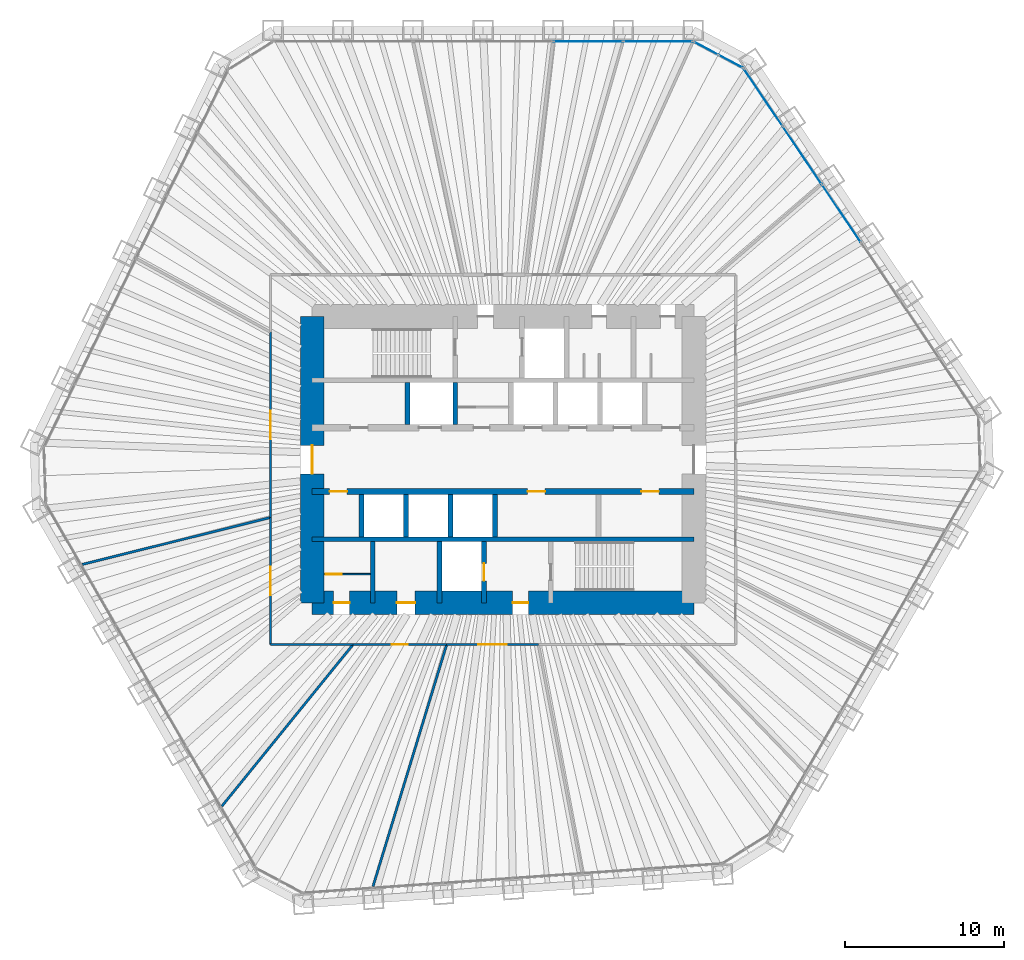
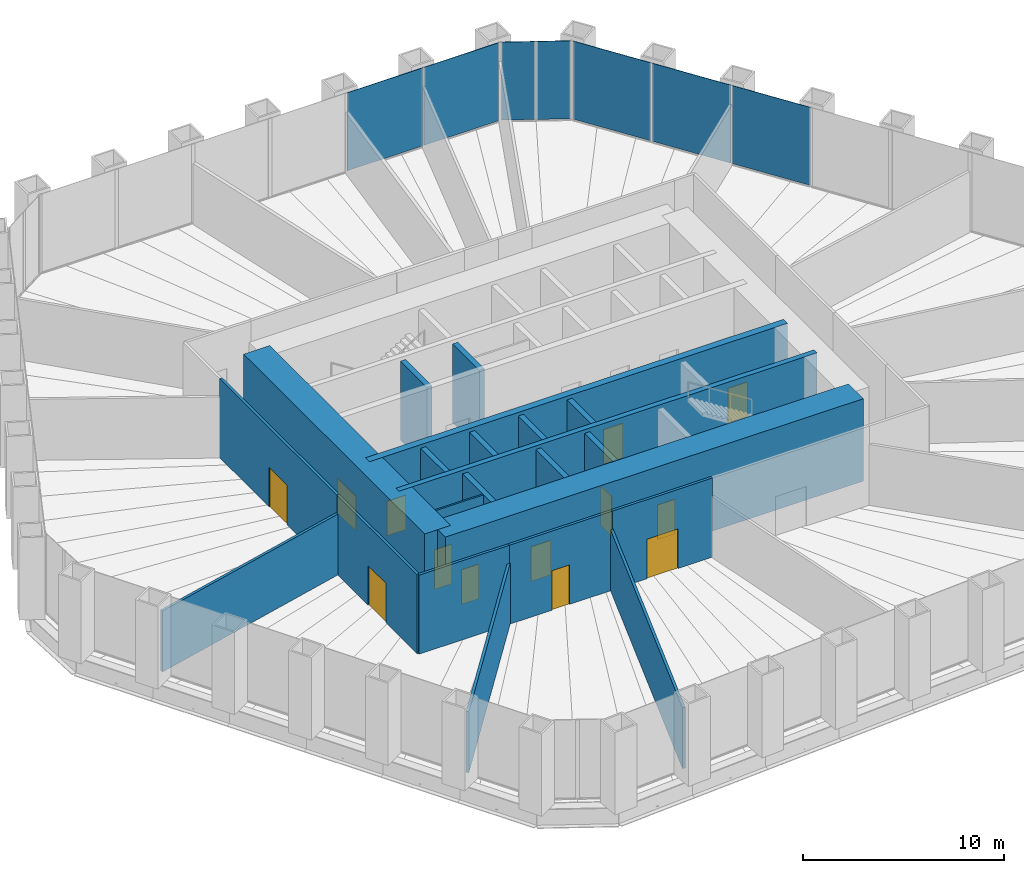
# One storey, part 10 of 13: 22 walls, 13 doors, 7 plates, 13 openings, 3 elements without a shape of their own.
"""IFC4 building model written with IfcOpenShell, lengths in metres."""

from ifc_helpers import new_model, si_unit, direction, frame, frame_2d, origin, origin_2d, place, context, subcontext, project, spatial, rectangle, extrude, material, layer, layer_set, type_object, element, fill, aggregate, save


model = new_model("IFC4")

# Units and contexts
model_context = context("Model", 3, precision=1e-05, world=origin(), true_north=direction((0.0, 1.0)))
body_context = subcontext(model_context, "Body", "Model", "MODEL_VIEW")
ifc_project = project(units=[si_unit("LENGTHUNIT", "METRE"), si_unit("AREAUNIT", "SQUARE_METRE"), si_unit("VOLUMEUNIT", "CUBIC_METRE"), si_unit("PLANEANGLEUNIT", "RADIAN"), si_unit("MASSUNIT", "GRAM", prefix="KILO")], contexts=[model_context])

# Site, building, storey
site_placement = place(None, origin())
site = spatial("IfcSite", under=ifc_project, at=site_placement, CompositionType="ELEMENT")
building_placement = place(site_placement, origin())
building = spatial("IfcBuilding", under=site, at=building_placement, Name="Qingtian Harvest Tower", CompositionType="ELEMENT")
storey_placement = place(building_placement, frame((0.0, 0.0, 77.0)))
storey = spatial("IfcBuildingStorey", under=building, at=storey_placement, Name="L15", CompositionType="ELEMENT", Elevation=77.0)

# Curtain wall, plates
ifc_material_1 = material(Name="Bronze-anodised aluminium curtain wall", Category="aluminium")
curtain_wall_type = type_object("IfcCurtainWallType", Name="Curtain wall CW2 farm reception", PredefinedType="USERDEFINED", material=ifc_material_1)
curtain_wall_1_placement = place(storey_placement, origin())
curtain_wall_1 = element("IfcCurtainWall", 1, at=curtain_wall_1_placement, inside=storey, type_object=curtain_wall_type, Name="Curtain wall CW2 L15 N0-5", ObjectType="RECESSED CURTAIN WALL", PredefinedType="USERDEFINED")
ifc_material_2 = material(Name="Bronze-tinted laminated insulating glass", Category="glass")
ifc_layer_1 = layer(ifc_material_2, 0.030029296875)
ifc_layer_set_1 = layer_set([ifc_layer_1], Name="Glazed panel CWP tinted IGU")
plate_type = type_object("IfcPlateType", Name="Glazed panel CWP tinted IGU", PredefinedType="CURTAIN_PANEL", material=ifc_layer_set_1)
plate_1_placement = place(storey_placement, frame((5.349365234375, 26.300048828125, 0.06494140625), z_axis=(0.0, 0.0, 1.0), x_axis=(1.0, 0.0, 0.0)))
plate_1 = element("IfcPlate", 2, at=plate_1_placement, type_object=plate_type, Name="CW2 panel 5.1", PredefinedType="CURTAIN_PANEL", context=body_context, shape_type="SweptSolid", body=[
    extrude(rectangle(XDim=4.339599609375, YDim=0.030029296875, at=origin_2d()), origin(), (0.0, 0.0, 1.0), 4.735107421875),
])
plate_2_placement = place(storey_placement, frame((9.737548828125, 26.300048828125, 0.06494140625), z_axis=(0.0, 0.0, 1.0), x_axis=(1.0, 0.0, 0.0)))
plate_2 = element("IfcPlate", 3, at=plate_2_placement, type_object=plate_type, Name="CW2 panel 6.1", PredefinedType="CURTAIN_PANEL", context=body_context, shape_type="SweptSolid", body=[
    extrude(rectangle(XDim=4.30712890625, YDim=0.030029296875, at=origin_2d()), origin(), (0.0, 0.0, 1.0), 4.735107421875),
])
aggregate(curtain_wall_1, [plate_1, plate_2])

curtain_wall_2_placement = place(storey_placement, origin())
curtain_wall_2 = element("IfcCurtainWall", 4, at=curtain_wall_2_placement, inside=storey, type_object=curtain_wall_type, Name="Curtain wall CW2 L15 NC", ObjectType="RECESSED CURTAIN WALL", PredefinedType="USERDEFINED")
plate_3_placement = place(storey_placement, frame((12.760986328125, 25.8720703125, 0.06494140625), z_axis=(0.0, 0.0, 1.0), x_axis=(0.882947592859, -0.469471562786, 0.0)))
plate_3 = element("IfcPlate", 5, at=plate_3_placement, type_object=plate_type, Name="CW2 panel 1.1", PredefinedType="CURTAIN_PANEL", context=body_context, shape_type="SweptSolid", body=[
    extrude(rectangle(XDim=1.69287109375, YDim=0.030029296875, at=origin_2d()), origin(), (0.0, 0.0, 1.0), 4.735107421875),
])
plate_4_placement = place(storey_placement, frame((14.31298828125, 25.046875, 0.06494140625), z_axis=(0.0, 0.0, 1.0), x_axis=(0.882947592859, -0.469471562786, 0.0)))
plate_4 = element("IfcPlate", 6, at=plate_4_placement, type_object=plate_type, Name="CW2 panel 2.1", PredefinedType="CURTAIN_PANEL", context=body_context, shape_type="SweptSolid", body=[
    extrude(rectangle(XDim=1.69287109375, YDim=0.030029296875, at=origin_2d()), origin(), (0.0, 0.0, 1.0), 4.735107421875),
])
aggregate(curtain_wall_2, [plate_3, plate_4])

curtain_wall_3_placement = place(storey_placement, origin())
curtain_wall_3 = element("IfcCurtainWall", 7, at=curtain_wall_3_placement, inside=storey, type_object=curtain_wall_type, Name="Curtain wall CW2 L15 NE0-5", ObjectType="RECESSED CURTAIN WALL", PredefinedType="USERDEFINED")
plate_5_placement = place(storey_placement, frame((16.3583984375, 22.779541015625, 0.06494140625), z_axis=(0.0, 0.0, 1.0), x_axis=(0.559192903471, -0.829037572555, 0.0)))
plate_5 = element("IfcPlate", 8, at=plate_5_placement, type_object=plate_type, Name="CW2 panel 1.1", PredefinedType="CURTAIN_PANEL", context=body_context, shape_type="SweptSolid", body=[
    extrude(rectangle(XDim=4.30712890625, YDim=0.030029296875, at=origin_2d()), origin(), (0.0, 0.0, 1.0), 4.735107421875),
])
plate_6_placement = place(storey_placement, frame((18.8125, 19.1416015625, 0.06494140625), z_axis=(0.0, 0.0, 1.0), x_axis=(0.559192903471, -0.829037572555, 0.0)))
plate_6 = element("IfcPlate", 9, at=plate_6_placement, type_object=plate_type, Name="CW2 panel 2.1", PredefinedType="CURTAIN_PANEL", context=body_context, shape_type="SweptSolid", body=[
    extrude(rectangle(XDim=4.339599609375, YDim=0.030029296875, at=origin_2d()), origin(), (0.0, 0.0, 1.0), 4.735107421875),
])
plate_7_placement = place(storey_placement, frame((21.275390625, 15.489990234375, 0.06494140625), z_axis=(0.0, 0.0, 1.0), x_axis=(0.559192903471, -0.829037572555, 0.0)))
plate_7 = element("IfcPlate", 10, at=plate_7_placement, type_object=plate_type, Name="CW2 panel 3.1", PredefinedType="CURTAIN_PANEL", context=body_context, shape_type="SweptSolid", body=[
    extrude(rectangle(XDim=4.339599609375, YDim=0.030029296875, at=origin_2d()), origin(), (0.0, 0.0, 1.0), 4.735107421875),
])
aggregate(curtain_wall_3, [plate_5, plate_6, plate_7])

# Wall
ifc_material_3 = material(Name="Concrete fc' 70 MPa", Category="concrete")
ifc_layer_2 = layer(ifc_material_3, 0.300048828125)
ifc_layer_set_2 = layer_set([ifc_layer_2], Name="Core inner wall RC5 300")
wall_type_1 = type_object("IfcWallType", Name="Core inner wall RC5 300", PredefinedType="SHEAR", material=ifc_layer_set_2)
wall_1_placement = place(storey_placement, frame((-12.0, -5.0, 0.0), z_axis=(0.0, 0.0, 1.0), x_axis=(1.0, 0.0, 0.0)))
element("IfcWall", 11, at=wall_1_placement, inside=storey, type_object=wall_type_1, Name="Core wall IS5 L15", PredefinedType="SHEAR", context=body_context, shape_type="SweptSolid", body=[
    extrude(rectangle(XDim=24.0, YDim=0.300048828125, at=frame_2d((12.0, 0.0))), origin(), (0.0, 0.0, 1.0), 5.0),
])

# Wall, openings, doors
ifc_material_4 = material(Name="Concrete fc' 70 MPa", Category="concrete")
ifc_layer_3 = layer(ifc_material_4, 0.39990234375)
ifc_layer_set_3 = layer_set([ifc_layer_3], Name="Core inner web RC6 400")
wall_type_2 = type_object("IfcWallType", Name="Core inner web RC6 400", PredefinedType="SHEAR", material=ifc_layer_set_3)
wall_2_placement = place(storey_placement, frame((-12.0, -2.0, 0.0), z_axis=(0.0, 0.0, 1.0), x_axis=(1.0, 0.0, 0.0)))
wall_2 = element("IfcWall", 12, at=wall_2_placement, inside=storey, type_object=wall_type_2, Name="Core wall IS2 L15", PredefinedType="SHEAR", context=body_context, shape_type="SweptSolid", body=[
    extrude(rectangle(XDim=24.0, YDim=0.39990234375, at=frame_2d((12.0, 0.0))), origin(), (0.0, 0.0, 1.0), 5.0),
])
opening_1_placement = place(wall_2_placement, frame((1.10009765625, 0.0, 0.0)))
opening_1 = element("IfcOpeningElement", 13, at=opening_1_placement, cuts=wall_2, Name="Opening FD4", PredefinedType="OPENING", context=body_context, shape_type="SweptSolid", body=[
    extrude(rectangle(XDim=1.10009765625, YDim=2.10009765625, at=frame_2d((0.550048828125, 1.050048828125))), frame((0.0, 0.2099609375, 0.0), z_axis=(0.0, -1.0, 0.0), x_axis=(1.0, 0.0, 0.0)), (0.0, 0.0, 1.0), 0.419921875),
])
opening_2_placement = place(wall_2_placement, frame((13.550048828125, 0.0, 0.0)))
opening_2 = element("IfcOpeningElement", 14, at=opening_2_placement, cuts=wall_2, Name="Opening FD4", PredefinedType="OPENING", context=body_context, shape_type="SweptSolid", body=[
    extrude(rectangle(XDim=1.10009765625, YDim=2.10009765625, at=frame_2d((0.550048828125, 1.050048828125))), frame((0.0, 0.2099609375, 0.0), z_axis=(0.0, -1.0, 0.0), x_axis=(1.0, 0.0, 0.0)), (0.0, 0.0, 1.0), 0.419921875),
])
opening_3_placement = place(wall_2_placement, frame((20.699951171875, 0.0, 0.0)))
opening_3 = element("IfcOpeningElement", 15, at=opening_3_placement, cuts=wall_2, Name="Opening FD4", PredefinedType="OPENING", context=body_context, shape_type="SweptSolid", body=[
    extrude(rectangle(XDim=1.10009765625, YDim=2.10009765625, at=frame_2d((0.550048828125, 1.050048828125))), frame((0.0, 0.2099609375, 0.0), z_axis=(0.0, -1.0, 0.0), x_axis=(1.0, 0.0, 0.0)), (0.0, 0.0, 1.0), 0.419921875),
])
ifc_material_5 = material(Name="Steel-faced door leaf", Category="steel")
door_type_1 = type_object("IfcDoorType", Name="Fire door FD4 single 2 HR", OperationType="SINGLE_SWING_LEFT", PredefinedType="DOOR", material=ifc_material_5)
door_1_placement = place(opening_1_placement, origin())
door_1 = element("IfcDoor", 16, at=door_1_placement, inside=storey, type_object=door_type_1, Name="RB door L15", OperationType="SINGLE_SWING_LEFT", OverallHeight=2.10009765625, OverallWidth=1.10009765625, PredefinedType="DOOR", context=body_context, shape_type="SweptSolid", body=[
    extrude(rectangle(XDim=1.10009765625, YDim=2.10009765625, at=frame_2d((0.550048828125, 1.050048828125))), frame((0.0, 0.02490234375, 0.0), z_axis=(0.0, -1.0, 0.0), x_axis=(1.0, 0.0, 0.0)), (0.0, 0.0, 1.0), 0.050048828125),
])
fill(opening_1, door_1)
door_2_placement = place(opening_2_placement, origin())
door_2 = element("IfcDoor", 17, at=door_2_placement, inside=storey, type_object=door_type_1, Name="ELEC door L15", OperationType="SINGLE_SWING_RIGHT", OverallHeight=2.10009765625, OverallWidth=1.10009765625, PredefinedType="DOOR", context=body_context, shape_type="SweptSolid", body=[
    extrude(rectangle(XDim=1.10009765625, YDim=2.10009765625, at=frame_2d((0.550048828125, 1.050048828125))), frame((0.0, 0.02490234375, 0.0), z_axis=(0.0, -1.0, 0.0), x_axis=(1.0, 0.0, 0.0)), (0.0, 0.0, 1.0), 0.050048828125),
])
fill(opening_2, door_2)
door_3_placement = place(opening_3_placement, origin())
door_3 = element("IfcDoor", 18, at=door_3_placement, inside=storey, type_object=door_type_1, Name="DUCT door L15", OperationType="SINGLE_SWING_LEFT", OverallHeight=2.10009765625, OverallWidth=1.10009765625, PredefinedType="DOOR", context=body_context, shape_type="SweptSolid", body=[
    extrude(rectangle(XDim=1.10009765625, YDim=2.10009765625, at=frame_2d((0.550048828125, 1.050048828125))), frame((0.0, 0.02490234375, 0.0), z_axis=(0.0, -1.0, 0.0), x_axis=(1.0, 0.0, 0.0)), (0.0, 0.0, 1.0), 0.050048828125),
])
fill(opening_3, door_3)

# Walls
ifc_material_6 = material(Name="Precast concrete shaft panel", Category="concrete")
ifc_layer_4 = layer(ifc_material_6, 0.300048828125)
ifc_layer_set_4 = layer_set([ifc_layer_4], Name="Core shaft partition SW1 300")
wall_type_3 = type_object("IfcWallType", Name="Core shaft partition SW1 300", PredefinedType="PARTITIONING", material=ifc_layer_set_4)
for number, where, z_axis, x_axis, name in (
    (19, (-6.0, 2.199951171875, 0.0), (0.0, 0.0, 1.0), (0.0, 1.0, 0.0), "Core shaft partition XA1 L15"),
    (20, (-3.0, 2.199951171875, 0.0), (0.0, 0.0, 1.0), (0.0, 1.0, 0.0), "Core shaft partition XA2 L15"),
    (21, (-8.89990234375, -4.85009765625, 0.0), (0.0, 0.0, 1.0), (0.0, 1.0, 0.0), "Core shaft partition XB1 L15"),
    (22, (-6.10009765625, -4.85009765625, 0.0), (0.0, 0.0, 1.0), (0.0, 1.0, 0.0), "Core shaft partition XB2 L15"),
    (23, (-3.300048828125, -4.85009765625, 0.0), (0.0, 0.0, 1.0), (0.0, 1.0, 0.0), "Core shaft partition XB3 L15"),
    (24, (-0.5, -4.85009765625, 0.0), (0.0, 0.0, 1.0), (0.0, 1.0, 0.0), "Core shaft partition XB4 L15"),
):
    element("IfcWall", number, at=place(storey_placement, frame(where, z_axis=z_axis, x_axis=x_axis)), inside=storey, type_object=wall_type_3, Name=name, PredefinedType="PARTITIONING", context=body_context, shape_type="SweptSolid", body=[
        extrude(rectangle(XDim=2.650146484375, YDim=0.300048828125, at=frame_2d((1.3251953125, 0.0))), origin(), (0.0, 0.0, 1.0), 4.780029296875),
    ])
for number, where, z_axis, x_axis, name in (
    (25, (-8.199951171875, -9.0, 0.0), (0.0, 0.0, 1.0), (0.0, 1.0, 0.0), "Core shaft partition XS1 L15"),
    (26, (-4.0, -9.0, 0.0), (0.0, 0.0, 1.0), (0.0, 1.0, 0.0), "Core shaft partition XS2 L15"),
):
    element("IfcWall", number, at=place(storey_placement, frame(where, z_axis=z_axis, x_axis=x_axis)), inside=storey, type_object=wall_type_3, Name=name, PredefinedType="PARTITIONING", context=body_context, shape_type="SweptSolid", body=[
        extrude(rectangle(XDim=3.85009765625, YDim=0.300048828125, at=frame_2d((1.925048828125, 0.0))), origin(), (0.0, 0.0, 1.0), 4.780029296875),
    ])

# Wall, opening, door
wall_3_placement = place(storey_placement, frame((-1.199951171875, -9.0, 0.0), z_axis=(0.0, 0.0, 1.0), x_axis=(0.0, 1.0, 0.0)))
wall_3 = element("IfcWall", 27, at=wall_3_placement, inside=storey, type_object=wall_type_3, Name="Core shaft partition XS3 L15", PredefinedType="PARTITIONING", context=body_context, shape_type="SweptSolid", body=[
    extrude(rectangle(XDim=3.85009765625, YDim=0.300048828125, at=frame_2d((1.925048828125, 0.0))), origin(), (0.0, 0.0, 1.0), 4.780029296875),
])
opening_4_placement = place(wall_3_placement, frame((1.375, 0.0, 0.0)))
opening_4 = element("IfcOpeningElement", 28, at=opening_4_placement, cuts=wall_3, Name="Opening LD1", PredefinedType="OPENING", context=body_context, shape_type="SweptSolid", body=[
    extrude(rectangle(XDim=1.10009765625, YDim=2.39990234375, at=frame_2d((0.550048828125, 1.199951171875))), frame((0.0, 0.159912109375, 0.0), z_axis=(0.0, -1.0, 0.0), x_axis=(1.0, 0.0, 0.0)), (0.0, 0.0, 1.0), 0.320068359375),
])
ifc_material_7 = material(Name="Stainless steel lift landing door", Category="steel")
door_type_2 = type_object("IfcDoorType", Name="Lift landing door LD1 1 HR", OperationType="DOUBLE_DOOR_SLIDING", PredefinedType="DOOR", material=ifc_material_7)
door_4_placement = place(opening_4_placement, origin())
door_4 = element("IfcDoor", 29, at=door_4_placement, inside=storey, type_object=door_type_2, Name="FL2 landing door L15", OperationType="DOUBLE_DOOR_SLIDING", OverallHeight=2.39990234375, OverallWidth=1.10009765625, PredefinedType="DOOR", context=body_context, shape_type="SweptSolid", body=[
    extrude(rectangle(XDim=1.10009765625, YDim=2.39990234375, at=frame_2d((0.550048828125, 1.199951171875))), frame((0.0, 0.02490234375, 0.0), z_axis=(0.0, -1.0, 0.0), x_axis=(1.0, 0.0, 0.0)), (0.0, 0.0, 1.0), 0.050048828125),
])
fill(opening_4, door_4)

# Wall, openings, doors
ifc_material_8 = material(Name="Concrete fc' 70 MPa", Category="concrete")
ifc_layer_5 = layer(ifc_material_8, 1.5)
ifc_layer_set_5 = layer_set([ifc_layer_5], Name="Core wall RC1 1500")
wall_type_4 = type_object("IfcWallType", Name="Core wall RC1 1500", PredefinedType="SHEAR", material=ifc_layer_set_5)
wall_4_placement = place(storey_placement, frame((-12.0, -9.0, 0.0), z_axis=(0.0, 0.0, 1.0), x_axis=(1.0, 0.0, 0.0)))
wall_4 = element("IfcWall", 30, at=wall_4_placement, inside=storey, type_object=wall_type_4, Name="Core wall CS L15", PredefinedType="SHEAR", context=body_context, shape_type="SweptSolid", body=[
    extrude(rectangle(XDim=24.0, YDim=1.5, at=frame_2d((12.0, 0.0))), origin(), (0.0, 0.0, 1.0), 5.0),
])
opening_5_placement = place(wall_4_placement, frame((1.35009765625, 0.0, 0.0)))
opening_5 = element("IfcOpeningElement", 31, at=opening_5_placement, cuts=wall_4, Name="Opening FD1", PredefinedType="OPENING", context=body_context, shape_type="SweptSolid", body=[
    extrude(rectangle(XDim=1.0, YDim=2.10009765625, at=frame_2d((0.5, 1.050048828125))), frame((0.0, 0.760009765625, 0.0), z_axis=(0.0, -1.0, 0.0), x_axis=(1.0, 0.0, 0.0)), (0.0, 0.0, 1.0), 1.52001953125),
])
opening_6_placement = place(wall_4_placement, frame((5.324951171875, 0.0, 0.0)))
opening_6 = element("IfcOpeningElement", 32, at=opening_6_placement, cuts=wall_4, Name="Opening AD1", PredefinedType="OPENING", context=body_context, shape_type="SweptSolid", body=[
    extrude(rectangle(XDim=1.14990234375, YDim=2.10009765625, at=frame_2d((0.574951171875, 1.050048828125))), frame((0.0, 0.760009765625, 0.0), z_axis=(0.0, -1.0, 0.0), x_axis=(1.0, 0.0, 0.0)), (0.0, 0.0, 1.0), 1.52001953125),
])
opening_7_placement = place(wall_4_placement, frame((12.60009765625, 0.0, 0.0)))
opening_7 = element("IfcOpeningElement", 33, at=opening_7_placement, cuts=wall_4, Name="Opening FD1", PredefinedType="OPENING", context=body_context, shape_type="SweptSolid", body=[
    extrude(rectangle(XDim=1.0, YDim=2.10009765625, at=frame_2d((0.5, 1.050048828125))), frame((0.0, 0.760009765625, 0.0), z_axis=(0.0, -1.0, 0.0), x_axis=(1.0, 0.0, 0.0)), (0.0, 0.0, 1.0), 1.52001953125),
])
ifc_material_9 = material(Name="Laminated timber door leaf", Category="wood")
door_type_3 = type_object("IfcDoorType", Name="Accessible WC door AD1 single", OperationType="SINGLE_SWING_LEFT", PredefinedType="DOOR", material=ifc_material_9)
door_5_placement = place(opening_6_placement, origin())
door_5 = element("IfcDoor", 34, at=door_5_placement, inside=storey, type_object=door_type_3, Name="AWC door L15", OperationType="SINGLE_SWING_RIGHT", OverallHeight=2.10009765625, OverallWidth=1.14990234375, PredefinedType="DOOR", context=body_context, shape_type="SweptSolid", body=[
    extrude(rectangle(XDim=1.14990234375, YDim=2.10009765625, at=frame_2d((0.574951171875, 1.050048828125))), frame((0.0, 0.02490234375, 0.0), z_axis=(0.0, -1.0, 0.0), x_axis=(1.0, 0.0, 0.0)), (0.0, 0.0, 1.0), 0.050048828125),
])
fill(opening_6, door_5)
ifc_material_10 = material(Name="Steel-faced door leaf", Category="steel")
door_type_4 = type_object("IfcDoorType", Name="Fire door FD1 single 1 HR", OperationType="SINGLE_SWING_LEFT", PredefinedType="DOOR", material=ifc_material_10)
door_6_placement = place(opening_5_placement, origin())
door_6 = element("IfcDoor", 35, at=door_6_placement, inside=storey, type_object=door_type_4, Name="CLN door L15", OperationType="SINGLE_SWING_LEFT", OverallHeight=2.10009765625, OverallWidth=1.0, PredefinedType="DOOR", context=body_context, shape_type="SweptSolid", body=[
    extrude(rectangle(XDim=1.0, YDim=2.10009765625, at=frame_2d((0.5, 1.050048828125))), frame((0.0, 0.02490234375, 0.0), z_axis=(0.0, -1.0, 0.0), x_axis=(1.0, 0.0, 0.0)), (0.0, 0.0, 1.0), 0.050048828125),
])
fill(opening_5, door_6)
door_7_placement = place(opening_7_placement, origin())
door_7 = element("IfcDoor", 36, at=door_7_placement, inside=storey, type_object=door_type_4, Name="V2 door L15", OperationType="SINGLE_SWING_RIGHT", OverallHeight=2.10009765625, OverallWidth=1.0, PredefinedType="DOOR", context=body_context, shape_type="SweptSolid", body=[
    extrude(rectangle(XDim=1.0, YDim=2.10009765625, at=frame_2d((0.5, 1.050048828125))), frame((0.0, 0.02490234375, 0.0), z_axis=(0.0, -1.0, 0.0), x_axis=(1.0, 0.0, 0.0)), (0.0, 0.0, 1.0), 0.050048828125),
])
fill(opening_7, door_7)

# Wall, opening, door
wall_5_placement = place(storey_placement, frame((-12.0, -9.0, 0.0), z_axis=(0.0, 0.0, 1.0), x_axis=(0.0, 1.0, 0.0)))
wall_5 = element("IfcWall", 37, at=wall_5_placement, inside=storey, type_object=wall_type_4, Name="Core wall CW L15", PredefinedType="SHEAR", context=body_context, shape_type="SweptSolid", body=[
    extrude(rectangle(XDim=18.0, YDim=1.5, at=frame_2d((9.0, 0.0))), origin(), (0.0, 0.0, 1.0), 5.0),
])
opening_8_placement = place(wall_5_placement, frame((8.10009765625, 0.0, 0.0)))
opening_8 = element("IfcOpeningElement", 38, at=opening_8_placement, cuts=wall_5, Name="Opening FD2", PredefinedType="OPENING", context=body_context, shape_type="SweptSolid", body=[
    extrude(rectangle(XDim=1.800048828125, YDim=2.10009765625, at=frame_2d((0.89990234375, 1.050048828125))), frame((0.0, 0.760009765625, 0.0), z_axis=(0.0, -1.0, 0.0), x_axis=(1.0, 0.0, 0.0)), (0.0, 0.0, 1.0), 1.52001953125),
])
ifc_material_11 = material(Name="Steel-faced door leaf", Category="steel")
door_type_5 = type_object("IfcDoorType", Name="Fire door FD2 double 1 HR", OperationType="DOUBLE_DOOR_DOUBLE_SWING", PredefinedType="DOOR", material=ifc_material_11)
door_8_placement = place(opening_8_placement, origin())
door_8 = element("IfcDoor", 39, at=door_8_placement, inside=storey, type_object=door_type_5, Name="LOBBY-W door L15", OperationType="DOUBLE_DOOR_DOUBLE_SWING", OverallHeight=2.10009765625, OverallWidth=1.800048828125, PredefinedType="DOOR", context=body_context, shape_type="SweptSolid", body=[
    extrude(rectangle(XDim=1.800048828125, YDim=2.10009765625, at=frame_2d((0.89990234375, 1.050048828125))), frame((0.0, 0.02490234375, 0.0), z_axis=(0.0, -1.0, 0.0), x_axis=(1.0, 0.0, 0.0)), (0.0, 0.0, 1.0), 0.050048828125),
])
fill(opening_8, door_8)

ifc_material_12 = material(Name="Gypsum board on steel studs", Category="steel")
ifc_layer_6 = layer(ifc_material_12, 0.14990234375)
ifc_layer_set_6 = layer_set([ifc_layer_6], Name="Partition PT1 150")
wall_type_5 = type_object("IfcWallType", Name="Partition PT1 150", PredefinedType="PARTITIONING", material=ifc_layer_set_6)
wall_6_placement = place(storey_placement, frame((2.222412109375, -11.625, 0.0), z_axis=(0.0, 0.0, 1.0), x_axis=(-1.0, 0.0, 0.0)))
wall_6 = element("IfcWall", 40, at=wall_6_placement, inside=storey, type_object=wall_type_5, Name="Strawberry growing room wall L15", PredefinedType="PARTITIONING", context=body_context, shape_type="SweptSolid", body=[
    extrude(rectangle(XDim=5.764404296875, YDim=0.14990234375, at=frame_2d((2.88232421875, 0.0))), origin(), (0.0, 0.0, 1.0), 4.800048828125),
])
opening_9_placement = place(wall_6_placement, frame((1.982177734375, 0.0, 0.0)))
opening_9 = element("IfcOpeningElement", 41, at=opening_9_placement, cuts=wall_6, Name="Opening D3", PredefinedType="OPENING", context=body_context, shape_type="SweptSolid", body=[
    extrude(rectangle(XDim=1.800048828125, YDim=2.39990234375, at=frame_2d((0.89990234375, 1.199951171875))), frame((0.0, 0.0849609375, 0.0), z_axis=(0.0, -1.0, 0.0), x_axis=(1.0, 0.0, 0.0)), (0.0, 0.0, 1.0), 0.169921875),
])
ifc_material_13 = material(Name="Laminated timber door leaf", Category="wood")
door_type_6 = type_object("IfcDoorType", Name="Room door D3 double", OperationType="DOUBLE_DOOR_DOUBLE_SWING", PredefinedType="DOOR", material=ifc_material_13)
door_9_placement = place(opening_9_placement, origin())
door_9 = element("IfcDoor", 42, at=door_9_placement, inside=storey, type_object=door_type_6, Name="Strawberry growing room door L15", OperationType="DOUBLE_DOOR_DOUBLE_SWING", OverallHeight=2.39990234375, OverallWidth=1.800048828125, PredefinedType="DOOR", context=body_context, shape_type="SweptSolid", body=[
    extrude(rectangle(XDim=1.800048828125, YDim=2.39990234375, at=frame_2d((0.89990234375, 1.199951171875))), frame((0.0, 0.02490234375, 0.0), z_axis=(0.0, -1.0, 0.0), x_axis=(1.0, 0.0, 0.0)), (0.0, 0.0, 1.0), 0.050048828125),
])
fill(opening_9, door_9)

# Wall
wall_7_placement = place(storey_placement, frame((-8.1787109375, -26.842529296875, 0.0), z_axis=(0.0, 0.0, 1.0), x_axis=(0.291466333136, 0.956581087336, 0.0)))
element("IfcWall", 43, at=wall_7_placement, inside=storey, type_object=wall_type_5, Name="Pollination room wall L15", PredefinedType="PARTITIONING", context=body_context, shape_type="SweptSolid", body=[
    extrude(rectangle(XDim=15.908203125, YDim=0.14990234375, at=frame_2d((7.9541015625, 0.0))), origin(), (0.0, 0.0, 1.0), 3.699951171875),
])

# Wall, opening, door
wall_8_placement = place(storey_placement, frame((-3.5419921875, -11.625, 0.0), z_axis=(0.0, 0.0, 1.0), x_axis=(-1.0, 0.0, 0.0)))
wall_8 = element("IfcWall", 44, at=wall_8_placement, inside=storey, type_object=wall_type_5, Name="Pollination room wall L15", PredefinedType="PARTITIONING", context=body_context, shape_type="SweptSolid", body=[
    extrude(rectangle(XDim=5.89013671875, YDim=0.14990234375, at=frame_2d((2.945068359375, 0.0))), origin(), (0.0, 0.0, 1.0), 4.800048828125),
])
opening_10_placement = place(wall_8_placement, frame((2.445068359375, 0.0, 0.0)))
opening_10 = element("IfcOpeningElement", 45, at=opening_10_placement, cuts=wall_8, Name="Opening D2", PredefinedType="OPENING", context=body_context, shape_type="SweptSolid", body=[
    extrude(rectangle(XDim=1.0, YDim=2.39990234375, at=frame_2d((0.5, 1.199951171875))), frame((0.0, 0.0849609375, 0.0), z_axis=(0.0, -1.0, 0.0), x_axis=(1.0, 0.0, 0.0)), (0.0, 0.0, 1.0), 0.169921875),
])
ifc_material_14 = material(Name="Laminated timber door leaf", Category="wood")
door_type_7 = type_object("IfcDoorType", Name="Room door D2 single", OperationType="SINGLE_SWING_LEFT", PredefinedType="DOOR", material=ifc_material_14)
door_10_placement = place(opening_10_placement, origin())
door_10 = element("IfcDoor", 46, at=door_10_placement, inside=storey, type_object=door_type_7, Name="Pollination room door L15", OperationType="SINGLE_SWING_RIGHT", OverallHeight=2.39990234375, OverallWidth=1.0, PredefinedType="DOOR", context=body_context, shape_type="SweptSolid", body=[
    extrude(rectangle(XDim=1.0, YDim=2.39990234375, at=frame_2d((0.5, 1.199951171875))), frame((0.0, 0.02490234375, 0.0), z_axis=(0.0, -1.0, 0.0), x_axis=(1.0, 0.0, 0.0)), (0.0, 0.0, 1.0), 0.050048828125),
])
fill(opening_10, door_10)

# Walls
wall_9_placement = place(storey_placement, frame((-17.679931640625, -21.79052734375, 0.0), z_axis=(0.0, 0.0, 1.0), x_axis=(0.630054650118, 0.776550795418, 0.0)))
element("IfcWall", 47, at=wall_9_placement, inside=storey, type_object=wall_type_5, Name="Tomato growing room wall L15", PredefinedType="PARTITIONING", context=body_context, shape_type="SweptSolid", body=[
    extrude(rectangle(XDim=13.090576171875, YDim=0.14990234375, at=frame_2d((6.54541015625, 0.0))), origin(), (0.0, 0.0, 1.0), 3.699951171875),
])
wall_10_placement = place(storey_placement, frame((-9.43212890625, -11.625, 0.0), z_axis=(0.0, 0.0, 1.0), x_axis=(-1.0, 0.0, 0.0)))
element("IfcWall", 48, at=wall_10_placement, inside=storey, type_object=wall_type_5, Name="Tomato growing room wall L15", PredefinedType="PARTITIONING", context=body_context, shape_type="SweptSolid", body=[
    extrude(rectangle(XDim=5.19287109375, YDim=0.14990234375, at=frame_2d((2.596435546875, 0.0))), origin(), (0.0, 0.0, 1.0), 4.800048828125),
])

# Wall, opening, door
wall_11_placement = place(storey_placement, frame((-14.625, -11.625, 0.0), z_axis=(0.0, 0.0, 1.0), x_axis=(0.0, 1.0, 0.0)))
wall_11 = element("IfcWall", 49, at=wall_11_placement, inside=storey, type_object=wall_type_5, Name="Tomato growing room wall L15", PredefinedType="PARTITIONING", context=body_context, shape_type="SweptSolid", body=[
    extrude(rectangle(XDim=7.984130859375, YDim=0.14990234375, at=frame_2d((3.9921875, 0.0))), origin(), (0.0, 0.0, 1.0), 4.800048828125),
])
opening_11_placement = place(wall_11_placement, frame((3.092041015625, 0.0, 0.0)))
opening_11 = element("IfcOpeningElement", 50, at=opening_11_placement, cuts=wall_11, Name="Opening D3", PredefinedType="OPENING", context=body_context, shape_type="SweptSolid", body=[
    extrude(rectangle(XDim=1.800048828125, YDim=2.39990234375, at=frame_2d((0.89990234375, 1.199951171875))), frame((0.0, 0.0849609375, 0.0), z_axis=(0.0, -1.0, 0.0), x_axis=(1.0, 0.0, 0.0)), (0.0, 0.0, 1.0), 0.169921875),
])
door_11_placement = place(opening_11_placement, origin())
door_11 = element("IfcDoor", 51, at=door_11_placement, inside=storey, type_object=door_type_6, Name="Tomato growing room door L15", OperationType="DOUBLE_DOOR_DOUBLE_SWING", OverallHeight=2.39990234375, OverallWidth=1.800048828125, PredefinedType="DOOR", context=body_context, shape_type="SweptSolid", body=[
    extrude(rectangle(XDim=1.800048828125, YDim=2.39990234375, at=frame_2d((0.89990234375, 1.199951171875))), frame((0.0, 0.02490234375, 0.0), z_axis=(0.0, -1.0, 0.0), x_axis=(1.0, 0.0, 0.0)), (0.0, 0.0, 1.0), 0.050048828125),
])
fill(opening_11, door_11)

# Wall
wall_12_placement = place(storey_placement, frame((-26.455322265625, -6.5859375, 0.0), z_axis=(0.0, 0.0, 1.0), x_axis=(0.970383505188, 0.241569561118, 0.0)))
element("IfcWall", 52, at=wall_12_placement, inside=storey, type_object=wall_type_5, Name="Strawberry growing room wall L15", PredefinedType="PARTITIONING", context=body_context, shape_type="SweptSolid", body=[
    extrude(rectangle(XDim=12.19140625, YDim=0.14990234375, at=frame_2d((6.095703125, 0.0))), origin(), (0.0, 0.0, 1.0), 3.699951171875),
])

# Wall, opening, door
wall_13_placement = place(storey_placement, frame((-14.625, -3.640869140625, 0.0), z_axis=(0.0, 0.0, 1.0), x_axis=(0.0, 1.0, 0.0)))
wall_13 = element("IfcWall", 53, at=wall_13_placement, inside=storey, type_object=wall_type_5, Name="Strawberry growing room wall L15", PredefinedType="PARTITIONING", context=body_context, shape_type="SweptSolid", body=[
    extrude(rectangle(XDim=11.660400390625, YDim=0.14990234375, at=frame_2d((5.830078125, 0.0))), origin(), (0.0, 0.0, 1.0), 4.800048828125),
])
opening_12_placement = place(wall_13_placement, frame((4.93017578125, 0.0, 0.0)))
opening_12 = element("IfcOpeningElement", 54, at=opening_12_placement, cuts=wall_13, Name="Opening D3", PredefinedType="OPENING", context=body_context, shape_type="SweptSolid", body=[
    extrude(rectangle(XDim=1.800048828125, YDim=2.39990234375, at=frame_2d((0.89990234375, 1.199951171875))), frame((0.0, 0.0849609375, 0.0), z_axis=(0.0, -1.0, 0.0), x_axis=(1.0, 0.0, 0.0)), (0.0, 0.0, 1.0), 0.169921875),
])
door_12_placement = place(opening_12_placement, origin())
door_12 = element("IfcDoor", 55, at=door_12_placement, inside=storey, type_object=door_type_6, Name="Strawberry growing room door L15", OperationType="DOUBLE_DOOR_DOUBLE_SWING", OverallHeight=2.39990234375, OverallWidth=1.800048828125, PredefinedType="DOOR", context=body_context, shape_type="SweptSolid", body=[
    extrude(rectangle(XDim=1.800048828125, YDim=2.39990234375, at=frame_2d((0.89990234375, 1.199951171875))), frame((0.0, 0.02490234375, 0.0), z_axis=(0.0, -1.0, 0.0), x_axis=(1.0, 0.0, 0.0)), (0.0, 0.0, 1.0), 0.050048828125),
])
fill(opening_12, door_12)

ifc_material_15 = material(Name="Concrete block partition", Category="concrete")
ifc_layer_7 = layer(ifc_material_15, 0.10009765625)
ifc_layer_set_7 = layer_set([ifc_layer_7], Name="Store partition PT3 100")
wall_type_6 = type_object("IfcWallType", Name="Store partition PT3 100", PredefinedType="PARTITIONING", material=ifc_layer_set_7)
wall_14_placement = place(storey_placement, frame((-11.25, -7.199951171875, 0.0), z_axis=(0.0, 0.0, 1.0), x_axis=(1.0, 0.0, 0.0)))
wall_14 = element("IfcWall", 56, at=wall_14_placement, inside=storey, type_object=wall_type_6, Name="Chemical store wall L15", PredefinedType="PARTITIONING", context=body_context, shape_type="SweptSolid", body=[
    extrude(rectangle(XDim=2.89990234375, YDim=0.10009765625, at=frame_2d((1.449951171875, 0.0))), origin(), (0.0, 0.0, 1.0), 4.780029296875),
])
opening_13_placement = place(wall_14_placement, frame((0.10009765625, 0.0, 0.0)))
opening_13 = element("IfcOpeningElement", 57, at=opening_13_placement, cuts=wall_14, Name="Opening D2", PredefinedType="OPENING", context=body_context, shape_type="SweptSolid", body=[
    extrude(rectangle(XDim=1.0, YDim=2.39990234375, at=frame_2d((0.5, 1.199951171875))), frame((0.0, 0.06005859375, 0.0), z_axis=(0.0, -1.0, 0.0), x_axis=(1.0, 0.0, 0.0)), (0.0, 0.0, 1.0), 0.1201171875),
])
door_13_placement = place(opening_13_placement, origin())
door_13 = element("IfcDoor", 58, at=door_13_placement, inside=storey, type_object=door_type_7, Name="Chemical store door L15", OperationType="SINGLE_SWING_RIGHT", OverallHeight=2.39990234375, OverallWidth=1.0, PredefinedType="DOOR", context=body_context, shape_type="SweptSolid", body=[
    extrude(rectangle(XDim=1.0, YDim=2.39990234375, at=frame_2d((0.5, 1.199951171875))), frame((0.0, 0.02490234375, 0.0), z_axis=(0.0, -1.0, 0.0), x_axis=(1.0, 0.0, 0.0)), (0.0, 0.0, 1.0), 0.050048828125),
])
fill(opening_13, door_13)

save(model, "model.ifc")
